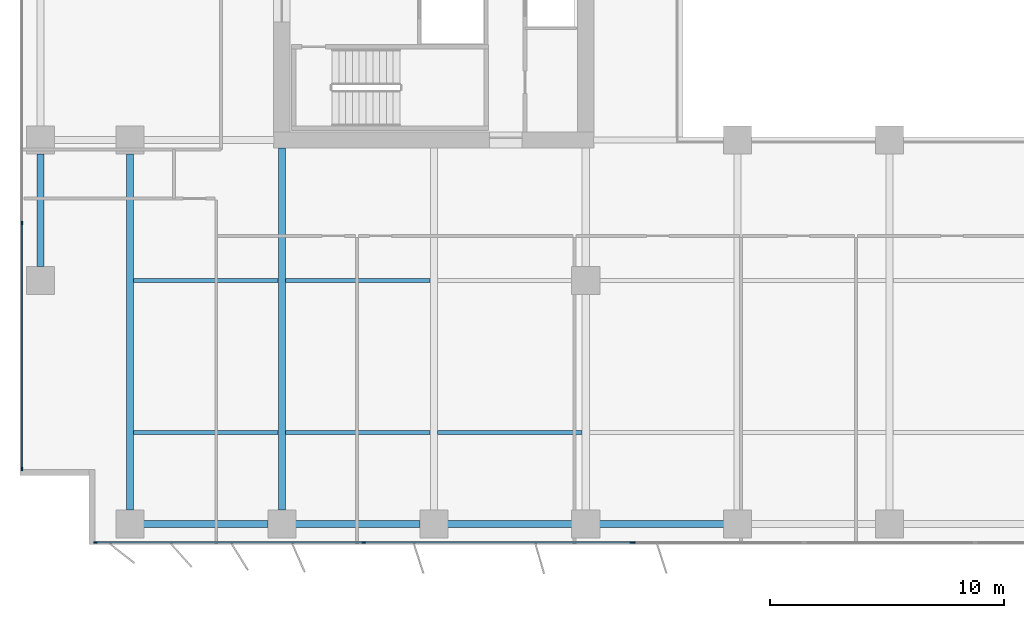
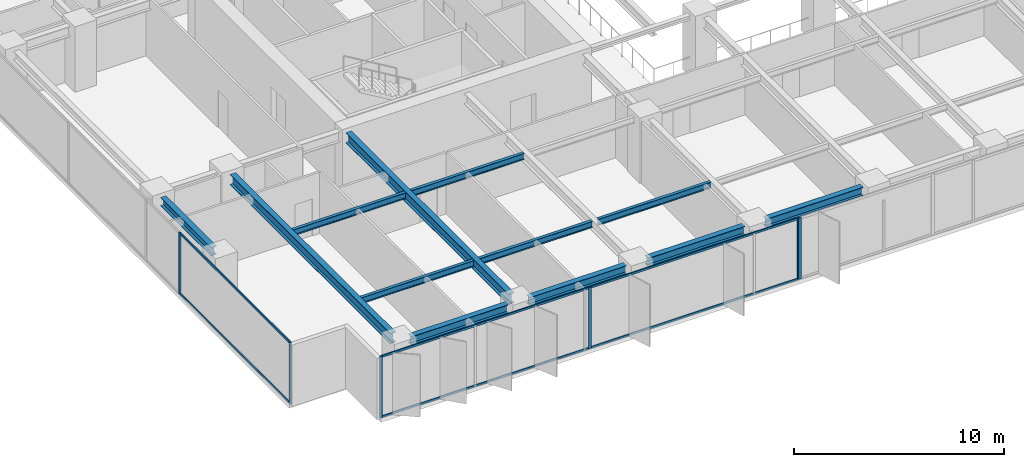
# One storey, part 2 of 20: 12 beams, 12 members, 3 elements without a shape of their own.
"""IFC4 building model written with IfcOpenShell, lengths in metres."""

from ifc_helpers import new_model, si_unit, direction, frame, origin, origin_2d, place, context, subcontext, project, spatial, rectangle, i_section, extrude, material, layer, layer_set, material_profile, profile_set, type_object, element, aggregate, save


model = new_model("IFC4")

# Units and contexts
model_context = context("Model", 3, precision=1e-05, world=origin(), true_north=direction((0.0, 1.0)))
body_context = subcontext(model_context, "Body", "Model", "MODEL_VIEW")
ifc_project = project(units=[si_unit("LENGTHUNIT", "METRE"), si_unit("AREAUNIT", "SQUARE_METRE"), si_unit("VOLUMEUNIT", "CUBIC_METRE"), si_unit("PLANEANGLEUNIT", "RADIAN"), si_unit("MASSUNIT", "GRAM", prefix="KILO")], contexts=[model_context])

# Site, building, storey
site_placement = place(None, origin())
site = spatial("IfcSite", under=ifc_project, at=site_placement, CompositionType="ELEMENT")
building_placement = place(site_placement, origin())
building = spatial("IfcBuilding", under=site, at=building_placement, Name="Putna Gate Headquarters", CompositionType="ELEMENT")
storey_placement = place(building_placement, frame((0.0, 0.0, 127.800048828125)))
storey = spatial("IfcBuildingStorey", under=building, at=storey_placement, Name="L31", CompositionType="ELEMENT", Elevation=127.800048828125)

# Beams
ifc_material_1 = material(Name="Steel S355J2", Category="steel")
ifc_material_profile_1 = material_profile(ifc_material_1, i_section(OverallWidth=0.300048828125, OverallDepth=0.60009765625, WebThickness=0.015380859375, FlangeThickness=0.030029296875, at=origin_2d()), Name="Steel S355J2")
ifc_profile_set_1 = profile_set([ifc_material_profile_1], Name="Steel S355J2")
beam_type_1 = type_object("IfcBeamType", Name="BM-GIRD-Z2-HEB600", PredefinedType="USERDEFINED", material=ifc_profile_set_1)
beam_1_placement = place(storey_placement, frame((6.5, 3.16796875, 3.264892578125), z_axis=(0.0, 1.0, 0.0), x_axis=(-1.0, 0.0, 0.0)))
element("IfcBeam", 1, at=beam_1_placement, inside=storey, type_object=beam_type_1, Name="L31 South Primary Girder X6", ObjectType="GIRDER", PredefinedType="USERDEFINED", context=body_context, shape_type="SweptSolid", body=[
    extrude(i_section(OverallWidth=0.300048828125, OverallDepth=0.60009765625, WebThickness=0.015380859375, FlangeThickness=0.030029296875, at=origin_2d()), origin(), (0.0, 0.0, 1.0), 15.244140625),
])
beam_2_placement = place(storey_placement, frame((13.0, 3.16796875, 3.264892578125), z_axis=(0.0, 1.0, 0.0), x_axis=(-1.0, 0.0, 0.0)))
element("IfcBeam", 2, at=beam_2_placement, inside=storey, type_object=beam_type_1, Name="L31 South Primary Girder X13", ObjectType="GIRDER", PredefinedType="USERDEFINED", context=body_context, shape_type="SweptSolid", body=[
    extrude(i_section(OverallWidth=0.300048828125, OverallDepth=0.60009765625, WebThickness=0.015380859375, FlangeThickness=0.030029296875, at=origin_2d()), origin(), (0.0, 0.0, 1.0), 15.4970703125),
])
ifc_material_profile_2 = material_profile(ifc_material_1, i_section(OverallWidth=0.169921875, OverallDepth=0.360107421875, WebThickness=0.008056640625, FlangeThickness=0.0126953125, at=origin_2d()), Name="Steel S355J2")
ifc_profile_set_2 = profile_set([ifc_material_profile_2], Name="Steel S355J2")
beam_type_2 = type_object("IfcBeamType", Name="BM-SEC-Z2-IPE360", PredefinedType="BEAM", material=ifc_profile_set_2)
for number, where, z_axis, x_axis, name in (
    (3, (6.654052734375, 6.5, 3.385009765625), (1.0, 0.0, 0.0), (0.0, 1.0, 0.0), "L31 South Secondary Beam 1"),
    (4, (6.654052734375, 13.0, 3.385009765625), (1.0, 0.0, 0.0), (0.0, 1.0, 0.0), "L31 South Secondary Beam 1"),
    (5, (13.154052734375, 6.5, 3.385009765625), (1.0, 0.0, 0.0), (0.0, 1.0, 0.0), "L31 South Secondary Beam 2"),
    (6, (13.154052734375, 13.0, 3.385009765625), (1.0, 0.0, 0.0), (0.0, 1.0, 0.0), "L31 South Secondary Beam 2"),
    (7, (19.654052734375, 6.5, 3.385009765625), (1.0, 0.0, 0.0), (0.0, 1.0, 0.0), "L31 South Secondary Beam 3"),
):
    element("IfcBeam", number, at=place(storey_placement, frame(where, z_axis=z_axis, x_axis=x_axis)), inside=storey, type_object=beam_type_2, Name=name, PredefinedType="BEAM", context=body_context, shape_type="SweptSolid", body=[
        extrude(i_section(OverallWidth=0.169921875, OverallDepth=0.360107421875, WebThickness=0.008056640625, FlangeThickness=0.0126953125, at=origin_2d()), origin(), (0.0, 0.0, 1.0), 6.19189453125),
    ])
ifc_material_profile_3 = material_profile(ifc_material_1, i_section(OverallWidth=0.300048828125, OverallDepth=0.489990234375, WebThickness=0.011962890625, FlangeThickness=0.02294921875, at=origin_2d()), Name="Steel S355J2")
ifc_profile_set_3 = profile_set([ifc_material_profile_3], Name="Steel S355J2")
beam_type_3 = type_object("IfcBeamType", Name="BM-SPAN-Z2-HEA500", PredefinedType="SPANDREL", material=ifc_profile_set_3)
for number, where, z_axis, x_axis, name in (
    (8, (7.087890625, 2.580078125, 3.320068359375), (1.0, 0.0, 0.0), (0.0, 1.0, 0.0), "L31 S Perimeter Spandrel 1"),
    (9, (13.587890625, 2.580078125, 3.320068359375), (1.0, 0.0, 0.0), (0.0, 1.0, 0.0), "L31 S Perimeter Spandrel 2"),
    (10, (20.087890625, 2.580078125, 3.320068359375), (1.0, 0.0, 0.0), (0.0, 1.0, 0.0), "L31 S Perimeter Spandrel 3"),
    (11, (26.587890625, 2.580078125, 3.320068359375), (1.0, 0.0, 0.0), (0.0, 1.0, 0.0), "L31 S Perimeter Spandrel 4"),
):
    element("IfcBeam", number, at=place(storey_placement, frame(where, z_axis=z_axis, x_axis=x_axis)), inside=storey, type_object=beam_type_3, Name=name, PredefinedType="SPANDREL", context=body_context, shape_type="SweptSolid", body=[
        extrude(i_section(OverallWidth=0.300048828125, OverallDepth=0.489990234375, WebThickness=0.011962890625, FlangeThickness=0.02294921875, at=origin_2d()), origin(), (0.0, 0.0, 1.0), 5.32421875),
    ])
beam_3_placement = place(storey_placement, frame((2.679931640625, 13.587890625, 3.320068359375), z_axis=(0.0, 1.0, 0.0), x_axis=(-1.0, 0.0, 0.0)))
element("IfcBeam", 12, at=beam_3_placement, inside=storey, type_object=beam_type_3, Name="L31 W End Spandrel 1", PredefinedType="SPANDREL", context=body_context, shape_type="SweptSolid", body=[
    extrude(i_section(OverallWidth=0.300048828125, OverallDepth=0.489990234375, WebThickness=0.011962890625, FlangeThickness=0.02294921875, at=origin_2d()), origin(), (0.0, 0.0, 1.0), 4.82421875),
])

# Curtain wall, members
ifc_material_2 = material(Name="Anodised bronze aluminium curtain wall", Category="aluminium")
ifc_layer_1 = layer(ifc_material_2, 0.159912109375)
ifc_layer_set_1 = layer_set([ifc_layer_1], Name="Anodised bronze aluminium curtain wall")
curtain_wall_type_1 = type_object("IfcCurtainWallType", Name="CW-SYS-Z2", PredefinedType="USERDEFINED", material=ifc_layer_set_1)
curtain_wall_1_placement = place(storey_placement, origin())
curtain_wall_1 = element("IfcCurtainWall", 13, at=curtain_wall_1_placement, inside=storey, type_object=curtain_wall_type_1, Name="L31 South West Curtain Wall", ObjectType="STICK CURTAIN WALL", PredefinedType="USERDEFINED")
ifc_material_3 = material(Name="Anodised bronze aluminium EN AW-6060", Category="aluminium")
ifc_material_profile_4 = material_profile(ifc_material_3, rectangle(XDim=0.06494140625, YDim=0.159912109375, at=origin_2d()), Name="Anodised bronze aluminium EN AW-6060")
ifc_profile_set_4 = profile_set([ifc_material_profile_4], Name="Anodised bronze aluminium EN AW-6060")
member_type_1 = type_object("IfcMemberType", Name="MULL-CWM-2", PredefinedType="MULLION", material=ifc_profile_set_4)
member_1_placement = place(storey_placement, frame((5.032470703125, 1.780029296875, 0.0), z_axis=(0.0, 0.0, 1.0), x_axis=(0.0, 1.0, 0.0)))
member_1 = element("IfcMember", 14, at=member_1_placement, type_object=member_type_1, Name="CWS-2 mullion 1", PredefinedType="MULLION", context=body_context, shape_type="SweptSolid", body=[
    extrude(rectangle(XDim=0.06494140625, YDim=0.159912109375, at=origin_2d()), origin(), (0.0, 0.0, 1.0), 3.56494140625),
])
member_2_placement = place(storey_placement, frame((16.5, 1.780029296875, 0.0), z_axis=(0.0, 0.0, 1.0), x_axis=(0.0, 1.0, 0.0)))
member_2 = element("IfcMember", 15, at=member_2_placement, type_object=member_type_1, Name="CWS-2 mullion 2", PredefinedType="MULLION", context=body_context, shape_type="SweptSolid", body=[
    extrude(rectangle(XDim=0.06494140625, YDim=0.159912109375, at=origin_2d()), origin(), (0.0, 0.0, 1.0), 3.56494140625),
])
member_3_placement = place(storey_placement, frame((27.967529296875, 1.780029296875, 0.0), z_axis=(0.0, 0.0, 1.0), x_axis=(0.0, 1.0, 0.0)))
member_3 = element("IfcMember", 16, at=member_3_placement, type_object=member_type_1, Name="CWS-2 mullion 3", PredefinedType="MULLION", context=body_context, shape_type="SweptSolid", body=[
    extrude(rectangle(XDim=0.06494140625, YDim=0.159912109375, at=origin_2d()), origin(), (0.0, 0.0, 1.0), 3.56494140625),
])

curtain_wall_2_placement = place(storey_placement, origin())
curtain_wall_2 = element("IfcCurtainWall", 17, at=curtain_wall_2_placement, inside=storey, type_object=curtain_wall_type_1, Name="L31 West Curtain Wall", ObjectType="STICK CURTAIN WALL", PredefinedType="USERDEFINED")
member_4_placement = place(storey_placement, frame((1.8798828125, 4.9326171875, 0.0), z_axis=(0.0, 0.0, 1.0), x_axis=(-1.0, 0.0, 0.0)))
member_4 = element("IfcMember", 18, at=member_4_placement, type_object=member_type_1, Name="CWS-2 mullion 1", PredefinedType="MULLION", context=body_context, shape_type="SweptSolid", body=[
    extrude(rectangle(XDim=0.06494140625, YDim=0.159912109375, at=origin_2d()), origin(), (0.0, 0.0, 1.0), 3.56494140625),
])
member_5_placement = place(storey_placement, frame((1.8798828125, 15.449951171875, 0.0), z_axis=(0.0, 0.0, 1.0), x_axis=(-1.0, 0.0, 0.0)))
member_5 = element("IfcMember", 19, at=member_5_placement, type_object=member_type_1, Name="CWS-2 mullion 2", PredefinedType="MULLION", context=body_context, shape_type="SweptSolid", body=[
    extrude(rectangle(XDim=0.06494140625, YDim=0.159912109375, at=origin_2d()), origin(), (0.0, 0.0, 1.0), 3.56494140625),
])

# Curtain wall, member
ifc_layer_2 = layer(ifc_material_2, 0.179931640625)
ifc_layer_set_2 = layer_set([ifc_layer_2], Name="Anodised bronze aluminium curtain wall")
curtain_wall_type_2 = type_object("IfcCurtainWallType", Name="CW-SYS-ATR", PredefinedType="USERDEFINED", material=ifc_layer_set_2)
curtain_wall_3_placement = place(storey_placement, origin())
curtain_wall_3 = element("IfcCurtainWall", 20, at=curtain_wall_3_placement, inside=storey, type_object=curtain_wall_type_2, Name="L31 South Atrium Clear Glazing", ObjectType="ATRIUM GLAZING", PredefinedType="USERDEFINED")
ifc_material_profile_5 = material_profile(ifc_material_3, rectangle(XDim=0.070068359375, YDim=0.179931640625, at=origin_2d()), Name="Anodised bronze aluminium EN AW-6060")
ifc_profile_set_5 = profile_set([ifc_material_profile_5], Name="Anodised bronze aluminium EN AW-6060")
member_type_2 = type_object("IfcMemberType", Name="MULL-CWM-AT", PredefinedType="MULLION", material=ifc_profile_set_5)
member_6_placement = place(storey_placement, frame((28.034912109375, 1.780029296875, 0.0), z_axis=(0.0, 0.0, 1.0), x_axis=(0.0, 1.0, 0.0)))
member_6 = element("IfcMember", 21, at=member_6_placement, type_object=member_type_2, Name="CWS-AT mullion 1", PredefinedType="MULLION", context=body_context, shape_type="SweptSolid", body=[
    extrude(rectangle(XDim=0.070068359375, YDim=0.179931640625, at=origin_2d()), origin(), (0.0, 0.0, 1.0), 3.56494140625),
])
aggregate(curtain_wall_3, [member_6])

# Member
ifc_material_profile_6 = material_profile(ifc_material_3, rectangle(XDim=0.06494140625, YDim=0.1201171875, at=origin_2d()), Name="Anodised bronze aluminium EN AW-6060")
ifc_profile_set_6 = profile_set([ifc_material_profile_6], Name="Anodised bronze aluminium EN AW-6060")
member_type_3 = type_object("IfcMemberType", Name="TRAN-CWT-2", PredefinedType="USERDEFINED", material=ifc_profile_set_6)
member_7_placement = place(storey_placement, frame((5.06494140625, 1.780029296875, 0.032470703125), z_axis=(1.0, 0.0, 0.0), x_axis=(0.0, 1.0, 0.0)))
member_7 = element("IfcMember", 22, at=member_7_placement, type_object=member_type_3, Name="CWS-2 transom 1.1", ObjectType="TRANSOM", PredefinedType="USERDEFINED", context=body_context, shape_type="SweptSolid", body=[
    extrude(rectangle(XDim=0.06494140625, YDim=0.1201171875, at=origin_2d()), origin(), (0.0, 0.0, 1.0), 11.402587890625),
])

member_8_placement = place(storey_placement, frame((5.06494140625, 1.780029296875, 3.532470703125), z_axis=(1.0, 0.0, 0.0), x_axis=(0.0, 1.0, 0.0)))
member_8 = element("IfcMember", 23, at=member_8_placement, type_object=member_type_3, Name="CWS-2 transom 1.2", ObjectType="TRANSOM", PredefinedType="USERDEFINED", context=body_context, shape_type="SweptSolid", body=[
    extrude(rectangle(XDim=0.06494140625, YDim=0.1201171875, at=origin_2d()), origin(), (0.0, 0.0, 1.0), 11.402587890625),
])

member_9_placement = place(storey_placement, frame((16.532470703125, 1.780029296875, 0.032470703125), z_axis=(1.0, 0.0, 0.0), x_axis=(0.0, 1.0, 0.0)))
member_9 = element("IfcMember", 24, at=member_9_placement, type_object=member_type_3, Name="CWS-2 transom 2.1", ObjectType="TRANSOM", PredefinedType="USERDEFINED", context=body_context, shape_type="SweptSolid", body=[
    extrude(rectangle(XDim=0.06494140625, YDim=0.1201171875, at=origin_2d()), origin(), (0.0, 0.0, 1.0), 11.402587890625),
])

member_10_placement = place(storey_placement, frame((16.532470703125, 1.780029296875, 3.532470703125), z_axis=(1.0, 0.0, 0.0), x_axis=(0.0, 1.0, 0.0)))
member_10 = element("IfcMember", 25, at=member_10_placement, type_object=member_type_3, Name="CWS-2 transom 2.2", ObjectType="TRANSOM", PredefinedType="USERDEFINED", context=body_context, shape_type="SweptSolid", body=[
    extrude(rectangle(XDim=0.06494140625, YDim=0.1201171875, at=origin_2d()), origin(), (0.0, 0.0, 1.0), 11.402587890625),
])

aggregate(curtain_wall_1, [member_1, member_2, member_3, member_7, member_8, member_9, member_10])

member_11_placement = place(storey_placement, frame((1.8798828125, 4.965087890625, 0.032470703125), z_axis=(0.0, 1.0, 0.0), x_axis=(-1.0, 0.0, 0.0)))
member_11 = element("IfcMember", 26, at=member_11_placement, type_object=member_type_3, Name="CWS-2 transom 1.1", ObjectType="TRANSOM", PredefinedType="USERDEFINED", context=body_context, shape_type="SweptSolid", body=[
    extrude(rectangle(XDim=0.06494140625, YDim=0.1201171875, at=origin_2d()), origin(), (0.0, 0.0, 1.0), 10.452392578125),
])

member_12_placement = place(storey_placement, frame((1.8798828125, 4.965087890625, 3.532470703125), z_axis=(0.0, 1.0, 0.0), x_axis=(-1.0, 0.0, 0.0)))
member_12 = element("IfcMember", 27, at=member_12_placement, type_object=member_type_3, Name="CWS-2 transom 1.2", ObjectType="TRANSOM", PredefinedType="USERDEFINED", context=body_context, shape_type="SweptSolid", body=[
    extrude(rectangle(XDim=0.06494140625, YDim=0.1201171875, at=origin_2d()), origin(), (0.0, 0.0, 1.0), 10.452392578125),
])

aggregate(curtain_wall_2, [member_4, member_5, member_11, member_12])

save(model, "model.ifc")
